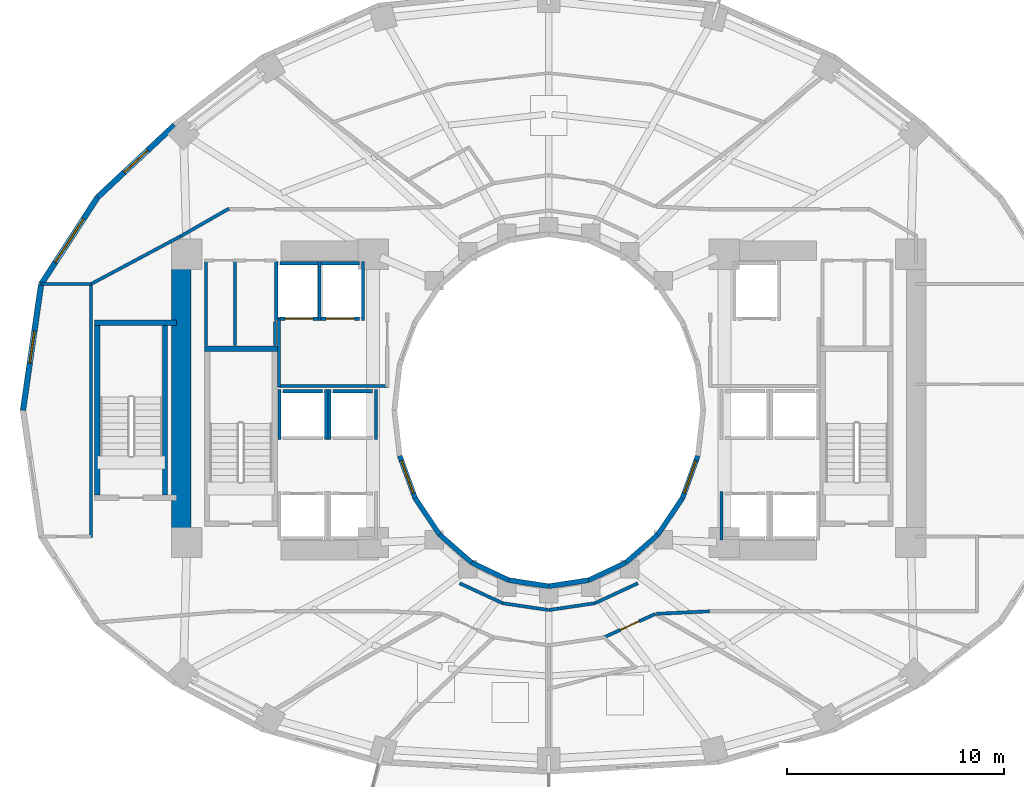
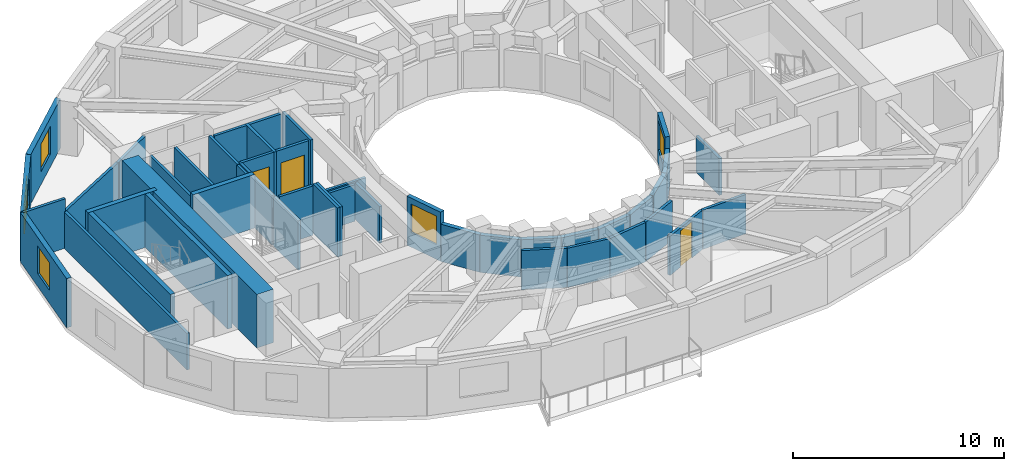
# One storey, part 4 of 9: 47 walls, 5 windows, 3 doors, 8 openings.
"""IFC4 building model written with IfcOpenShell, lengths in metres."""

from ifc_helpers import new_model, si_unit, direction, frame, frame_2d, origin, place, context, subcontext, project, spatial, rectangle, extrude, material, layer, layer_set, type_object, element, fill, save


model = new_model("IFC4")

# Units and contexts
model_context = context("Model", 3, precision=1e-05, world=origin(), true_north=direction((0.0, 1.0)))
body_context = subcontext(model_context, "Body", "Model", "MODEL_VIEW")
ifc_project = project(units=[si_unit("LENGTHUNIT", "METRE"), si_unit("AREAUNIT", "SQUARE_METRE"), si_unit("VOLUMEUNIT", "CUBIC_METRE"), si_unit("PLANEANGLEUNIT", "RADIAN"), si_unit("MASSUNIT", "GRAM", prefix="KILO")], contexts=[model_context])

# Site, building, storey
site_placement = place(None, origin())
site = spatial("IfcSite", under=ifc_project, at=site_placement, CompositionType="ELEMENT")
building_placement = place(site_placement, origin())
building = spatial("IfcBuilding", under=site, at=building_placement, Name="Solvane Sanctuary Tower", CompositionType="ELEMENT")
storey_placement = place(building_placement, frame((0.0, 0.0, 79.39990234375)))
storey = spatial("IfcBuildingStorey", under=building, at=storey_placement, Name="L23", CompositionType="ELEMENT", Elevation=79.39990234375)

# Walls
ifc_material_1 = material(Name="Concrete C70/85", Category="concrete")
ifc_layer_1 = layer(ifc_material_1, 0.89990234375, Name="Concrete C70/85")
ifc_layer_set_1 = layer_set([ifc_layer_1], Name="Concrete C70/85")
wall_type_1 = type_object("IfcWallType", Name="Wall W-CORE-900", PredefinedType="SHEAR", material=ifc_layer_set_1)
wall_1_placement = place(storey_placement, frame((15.050048828125, 17.050048828125, 0.0), z_axis=(0.0, 0.0, 1.0), x_axis=(0.0, 1.0, 0.0)))
element("IfcWall", 1, at=wall_1_placement, inside=storey, type_object=wall_type_1, Name="L23 Core Shear Wall WC-W", PredefinedType="SHEAR", context=body_context, shape_type="SweptSolid", body=[
    extrude(rectangle(XDim=12.800048828125, YDim=0.89990234375, at=frame_2d((6.39990234375, 0.0))), origin(), (0.0, 0.0, 1.0), 3.10009765625),
])
ifc_material_2 = material(Name="Acoustic Gypsum Partition Board")
ifc_layer_2 = layer(ifc_material_2, 0.14990234375, Name="Acoustic Gypsum Partition Board")
ifc_layer_set_2 = layer_set([ifc_layer_2], Name="Acoustic Gypsum Partition Board")
wall_type_2 = type_object("IfcWallType", Name="Wall W-CORR-150", PredefinedType="PARTITIONING", material=ifc_layer_set_2)
wall_2_placement = place(storey_placement, frame((19.52001953125, 24.1201171875, 0.0), z_axis=(0.0, 0.0, 1.0), x_axis=(1.0, 0.0, 0.0)))
element("IfcWall", 2, at=wall_2_placement, inside=storey, type_object=wall_type_2, Name="L23 West Firefighting Lobby South Wall", PredefinedType="PARTITIONING", context=body_context, shape_type="SweptSolid", body=[
    extrude(rectangle(XDim=5.080078125, YDim=0.14990234375, at=frame_2d((2.5400390625, 0.0))), origin(), (0.0, 0.0, 1.0), 2.1201171875),
])
wall_3_placement = place(storey_placement, frame((19.550048828125, 24.080078125, 0.0), z_axis=(0.0, 0.0, 1.0), x_axis=(0.0, 1.0, 0.0)))
element("IfcWall", 3, at=wall_3_placement, inside=storey, type_object=wall_type_2, Name="L23 West Firefighting Lobby West Wall", PredefinedType="PARTITIONING", context=body_context, shape_type="SweptSolid", body=[
    extrude(rectangle(XDim=3.199951171875, YDim=0.14990234375, at=frame_2d((1.60009765625, 0.0))), origin(), (0.0, 0.0, 1.0), 2.85498046875),
])
wall_4_placement = place(storey_placement, frame((27.889892578125, 15.01513671875, 0.0), z_axis=(0.0, 0.0, 1.0), x_axis=(0.906943449489, -0.421252393975, 0.0)))
element("IfcWall", 4, at=wall_4_placement, inside=storey, type_object=wall_type_2, Name="L23 Light-Well Corridor Rim Wall S1", PredefinedType="PARTITIONING", context=body_context, shape_type="SweptSolid", body=[
    extrude(rectangle(XDim=2.18603515625, YDim=0.14990234375, at=frame_2d((1.093017578125, 0.0))), origin(), (0.0, 0.0, 1.0), 2.272216796875),
])
for number, where, z_axis, x_axis, name in (
    (5, (29.87255859375, 14.09423828125, 0.0), (0.0, 0.0, 1.0), (0.989268584896, -0.146108408166, 0.0), "L23 Light-Well Corridor Rim Wall S2"),
    (6, (32.0, 13.780029296875, 0.0), (0.0, 0.0, 1.0), (0.989268584896, 0.146108408166, 0.0), "L23 Light-Well Corridor Rim Wall S3"),
):
    element("IfcWall", number, at=place(storey_placement, frame(where, z_axis=z_axis, x_axis=x_axis)), inside=storey, type_object=wall_type_2, Name=name, PredefinedType="PARTITIONING", context=body_context, shape_type="SweptSolid", body=[
        extrude(rectangle(XDim=2.150634765625, YDim=0.14990234375, at=frame_2d((1.0751953125, 0.0))), origin(), (0.0, 0.0, 1.0), 2.272216796875),
    ])
wall_5_placement = place(storey_placement, frame((34.12744140625, 14.09423828125, 0.0), z_axis=(0.0, 0.0, 1.0), x_axis=(0.906943449489, 0.421252393975, 0.0)))
element("IfcWall", 7, at=wall_5_placement, inside=storey, type_object=wall_type_2, Name="L23 Light-Well Corridor Rim Wall S4", PredefinedType="PARTITIONING", context=body_context, shape_type="SweptSolid", body=[
    extrude(rectangle(XDim=2.18603515625, YDim=0.14990234375, at=frame_2d((1.093017578125, 0.0))), origin(), (0.0, 0.0, 1.0), 2.272216796875),
])
wall_6_placement = place(storey_placement, frame((10.8798828125, 17.134765625, 0.0), z_axis=(0.0, 0.0, 1.0), x_axis=(0.0, 1.0, 0.0)))
element("IfcWall", 8, at=wall_6_placement, inside=storey, type_object=wall_type_2, Name="L23 West Shoulder Back Wall", PredefinedType="PARTITIONING", context=body_context, shape_type="SweptSolid", body=[
    extrude(rectangle(XDim=11.73046875, YDim=0.14990234375, at=frame_2d((5.865234375, 0.0))), origin(), (0.0, 0.0, 1.0), 2.1201171875),
])
wall_7_placement = place(storey_placement, frame((8.558349609375, 28.8251953125, 0.0), z_axis=(0.0, 0.0, 1.0), x_axis=(1.0, 0.0, 0.0)))
element("IfcWall", 9, at=wall_7_placement, inside=storey, type_object=wall_type_2, Name="L23 West Shoulder North Wall", PredefinedType="PARTITIONING", context=body_context, shape_type="SweptSolid", body=[
    extrude(rectangle(XDim=2.321533203125, YDim=0.14990234375, at=frame_2d((1.16064453125, 0.0))), origin(), (0.0, 0.0, 1.0), 2.85498046875),
])
wall_8_placement = place(storey_placement, frame((10.8447265625, 28.806396484375, 0.0), z_axis=(0.0, 0.0, 1.0), x_axis=(0.88227840565, 0.470727962759, 0.0)))
element("IfcWall", 10, at=wall_8_placement, inside=storey, type_object=wall_type_2, Name="L23 NW Corner Closer 1", PredefinedType="PARTITIONING", context=body_context, shape_type="SweptSolid", body=[
    extrude(rectangle(XDim=4.806396484375, YDim=0.14990234375, at=frame_2d((2.4033203125, 0.0))), origin(), (0.0, 0.0, 1.0), 2.14208984375),
])
wall_9_placement = place(storey_placement, frame((17.243408203125, 32.3046875, 0.0), z_axis=(0.0, 0.0, 1.0), x_axis=(-0.867991349648, -0.496579315857, 0.0)))
element("IfcWall", 11, at=wall_9_placement, inside=storey, type_object=wall_type_2, Name="L23 NW Corner Wing Wall", PredefinedType="PARTITIONING", context=body_context, shape_type="SweptSolid", body=[
    extrude(rectangle(XDim=2.56689453125, YDim=0.14990234375, at=frame_2d((1.283447265625, 0.0))), origin(), (0.0, 0.0, 1.0), 2.14208984375),
])
wall_10_placement = place(storey_placement, frame((36.97998046875, 13.606201171875, 0.0), z_axis=(0.0, 0.0, 1.0), x_axis=(0.998877427952, 0.047369651964, 0.0)))
element("IfcWall", 12, at=wall_10_placement, inside=storey, type_object=wall_type_2, Name="L23 SE Corner Throat Wall", PredefinedType="PARTITIONING", context=body_context, shape_type="SweptSolid", body=[
    extrude(rectangle(XDim=2.4326171875, YDim=0.14990234375, at=frame_2d((1.21630859375, 0.0))), origin(), (0.0, 0.0, 1.0), 2.272216796875),
])

# Wall, opening, door
wall_11_placement = place(storey_placement, frame((34.542724609375, 12.517578125, 0.0), z_axis=(0.0, 0.0, 1.0), x_axis=(0.909747571199, 0.415161843982, 0.0)))
wall_11 = element("IfcWall", 13, at=wall_11_placement, inside=storey, type_object=wall_type_2, Name="L23 Unit Corridor Wall S3", PredefinedType="PARTITIONING", context=body_context, shape_type="SweptSolid", body=[
    extrude(rectangle(XDim=2.625, YDim=0.14990234375, at=frame_2d((1.3125, 0.0))), origin(), (0.0, 0.0, 1.0), 2.272216796875),
])
opening_1_placement = place(wall_11_placement, frame((0.837646484375, 0.0, 0.0)))
opening_1 = element("IfcOpeningElement", 14, at=opening_1_placement, cuts=wall_11, Name="Opening D-L23-26", PredefinedType="OPENING", context=body_context, shape_type="SweptSolid", body=[
    extrude(rectangle(XDim=0.949951171875, YDim=2.10009765625, at=frame_2d((0.47509765625, 1.050048828125))), frame((0.0, 0.0849609375, 0.0), z_axis=(0.0, -1.0, 0.0), x_axis=(1.0, 0.0, 0.0)), (0.0, 0.0, 1.0), 0.169921875),
])
ifc_material_3 = material(Name="Engineered Tropical Hardwood", Category="wood")
door_type_1 = type_object("IfcDoorType", Name="Door D-ROOM-950", OperationType="NOTDEFINED", PredefinedType="DOOR", material=ifc_material_3)
door_1_placement = place(opening_1_placement, origin())
door_1 = element("IfcDoor", 15, at=door_1_placement, inside=storey, type_object=door_type_1, Name="L23 Unit Entrance Door S3", OperationType="SINGLE_SWING_RIGHT", OverallHeight=2.10009765625, OverallWidth=0.949951171875, PredefinedType="DOOR", context=body_context, shape_type="SweptSolid", body=[
    extrude(rectangle(XDim=0.949951171875, YDim=2.10009765625, at=frame_2d((0.47509765625, 1.050048828125))), frame((0.0, 0.02490234375, 0.0), z_axis=(0.0, -1.0, 0.0), x_axis=(1.0, 0.0, 0.0)), (0.0, 0.0, 1.0), 0.050048828125),
])
fill(opening_1, door_1)

# Wall, opening, window
ifc_material_4 = material(Name="Precast concrete C40/50", Category="concrete")
ifc_layer_3 = layer(ifc_material_4, 0.260009765625, Name="Precast concrete C40/50")
ifc_layer_set_3 = layer_set([ifc_layer_3], Name="Precast concrete C40/50")
wall_type_3 = type_object("IfcWallType", Name="Wall W-EXT-250", PredefinedType="STANDARD", material=ifc_layer_set_3)
wall_12_placement = place(storey_placement, frame((14.734130859375, 36.1533203125, 0.0), z_axis=(0.0, 0.0, 1.0), x_axis=(-0.730162452258, -0.68327358599, 0.0)))
wall_12 = element("IfcWall", 16, at=wall_12_placement, inside=storey, type_object=wall_type_3, Name="L23 Ceramic-Printed Facade Wall 09", PredefinedType="STANDARD", context=body_context, shape_type="SweptSolid", body=[
    extrude(rectangle(XDim=4.868408203125, YDim=0.260009765625, at=frame_2d((2.43408203125, 0.0))), origin(), (0.0, 0.0, 1.0), 2.85009765625),
])
opening_2_placement = place(wall_12_placement, frame((1.68408203125, 0.0, 0.75)))
opening_2 = element("IfcOpeningElement", 17, at=opening_2_placement, cuts=wall_12, Name="Opening WN-OPER-1500", PredefinedType="OPENING", context=body_context, shape_type="SweptSolid", body=[
    extrude(rectangle(XDim=1.5, YDim=1.60009765625, at=frame_2d((0.75, 0.800048828125))), frame((0.0, 0.139892578125, 0.0), z_axis=(0.0, -1.0, 0.0), x_axis=(1.0, 0.0, 0.0)), (0.0, 0.0, 1.0), 0.280029296875),
])
ifc_material_5 = material(Name="Dark Ceramic-Fritted Low-E Glass", Category="glass")
window_type_1 = type_object("IfcWindowType", Name="Window WN-OPER-1500", PartitioningType="SINGLE_PANEL", PredefinedType="WINDOW", material=ifc_material_5)
window_1_placement = place(opening_2_placement, origin())
window_1 = element("IfcWindow", 18, at=window_1_placement, inside=storey, type_object=window_type_1, Name="L23 Operable Facade Window 09", OverallHeight=1.60009765625, OverallWidth=1.5, PartitioningType="SINGLE_PANEL", PredefinedType="WINDOW", context=body_context, shape_type="SweptSolid", body=[
    extrude(rectangle(XDim=1.5, YDim=1.60009765625, at=frame_2d((0.75, 0.800048828125))), frame((0.0, 0.030029296875, 0.0), z_axis=(0.0, -1.0, 0.0), x_axis=(1.0, 0.0, 0.0)), (0.0, 0.0, 1.0), 0.06005859375),
])
fill(opening_2, window_1)

wall_13_placement = place(storey_placement, frame((11.179443359375, 32.826904296875, 0.0), z_axis=(0.0, 0.0, 1.0), x_axis=(-0.544388392991, -0.838833283541, 0.0)))
wall_13 = element("IfcWall", 19, at=wall_13_placement, inside=storey, type_object=wall_type_3, Name="L23 Ceramic-Printed Facade Wall 10", PredefinedType="STANDARD", context=body_context, shape_type="SweptSolid", body=[
    extrude(rectangle(XDim=4.7783203125, YDim=0.260009765625, at=frame_2d((2.38916015625, 0.0))), origin(), (0.0, 0.0, 1.0), 2.85009765625),
])
opening_3_placement = place(wall_13_placement, frame((1.189208984375, 0.0, 0.75)))
opening_3 = element("IfcOpeningElement", 20, at=opening_3_placement, cuts=wall_13, Name="Opening WN-RIB-2400", PredefinedType="OPENING", context=body_context, shape_type="SweptSolid", body=[
    extrude(rectangle(XDim=2.39990234375, YDim=1.699951171875, at=frame_2d((1.199951171875, 0.85009765625))), frame((0.0, 0.139892578125, 0.0), z_axis=(0.0, -1.0, 0.0), x_axis=(1.0, 0.0, 0.0)), (0.0, 0.0, 1.0), 0.280029296875),
])
window_type_2 = type_object("IfcWindowType", Name="Window WN-RIB-2400", PartitioningType="SINGLE_PANEL", PredefinedType="WINDOW", material=ifc_material_5)
window_2_placement = place(opening_3_placement, origin())
window_2 = element("IfcWindow", 21, at=window_2_placement, inside=storey, type_object=window_type_2, Name="L23 Operable Facade Window 10", OverallHeight=1.699951171875, OverallWidth=2.39990234375, PartitioningType="SINGLE_PANEL", PredefinedType="WINDOW", context=body_context, shape_type="SweptSolid", body=[
    extrude(rectangle(XDim=2.39990234375, YDim=1.699951171875, at=frame_2d((1.199951171875, 0.85009765625))), frame((0.0, 0.030029296875, 0.0), z_axis=(0.0, -1.0, 0.0), x_axis=(1.0, 0.0, 0.0)), (0.0, 0.0, 1.0), 0.06005859375),
])
fill(opening_3, window_2)

wall_14_placement = place(storey_placement, frame((8.578125, 28.818603515625, 0.0), z_axis=(0.0, 0.0, 1.0), x_axis=(-0.142572472068, -0.98978436551, 0.0)))
wall_14 = element("IfcWall", 22, at=wall_14_placement, inside=storey, type_object=wall_type_3, Name="L23 Ceramic-Printed Facade Wall 11", PredefinedType="STANDARD", context=body_context, shape_type="SweptSolid", body=[
    extrude(rectangle(XDim=5.878662109375, YDim=0.260009765625, at=frame_2d((2.939453125, 0.0))), origin(), (0.0, 0.0, 1.0), 2.85009765625),
])
opening_4_placement = place(wall_14_placement, frame((2.189453125, 0.0, 0.75)))
opening_4 = element("IfcOpeningElement", 23, at=opening_4_placement, cuts=wall_14, Name="Opening WN-OPER-1500", PredefinedType="OPENING", context=body_context, shape_type="SweptSolid", body=[
    extrude(rectangle(XDim=1.5, YDim=1.60009765625, at=frame_2d((0.75, 0.800048828125))), frame((0.0, 0.139892578125, 0.0), z_axis=(0.0, -1.0, 0.0), x_axis=(1.0, 0.0, 0.0)), (0.0, 0.0, 1.0), 0.280029296875),
])
window_3_placement = place(opening_4_placement, origin())
window_3 = element("IfcWindow", 24, at=window_3_placement, inside=storey, type_object=window_type_1, Name="L23 Operable Facade Window 11", OverallHeight=1.60009765625, OverallWidth=1.5, PartitioningType="SINGLE_PANEL", PredefinedType="WINDOW", context=body_context, shape_type="SweptSolid", body=[
    extrude(rectangle(XDim=1.5, YDim=1.60009765625, at=frame_2d((0.75, 0.800048828125))), frame((0.0, 0.030029296875, 0.0), z_axis=(0.0, -1.0, 0.0), x_axis=(1.0, 0.0, 0.0)), (0.0, 0.0, 1.0), 0.06005859375),
])
fill(opening_4, window_3)

ifc_layer_4 = layer(ifc_material_4, 0.22998046875, Name="Precast concrete C40/50")
ifc_layer_set_4 = layer_set([ifc_layer_4], Name="Precast concrete C40/50")
wall_type_4 = type_object("IfcWallType", Name="Wall W-EXT-SP220", PredefinedType="STANDARD", material=ifc_layer_set_4)
wall_15_placement = place(storey_placement, frame((25.12255859375, 20.8984375, 0.0), z_axis=(0.0, 0.0, 1.0), x_axis=(0.341423187295, -0.93990968033, 0.0)))
wall_15 = element("IfcWall", 25, at=wall_15_placement, inside=storey, type_object=wall_type_4, Name="L23 Central Light-Well Wall 13", PredefinedType="STANDARD", context=body_context, shape_type="SweptSolid", body=[
    extrude(rectangle(XDim=2.083740234375, YDim=0.22998046875, at=frame_2d((1.0419921875, 0.0))), origin(), (0.0, 0.0, 1.0), 2.840087890625),
])
opening_5_placement = place(wall_15_placement, frame((0.24169921875, 0.0, 0.85009765625)))
opening_5 = element("IfcOpeningElement", 26, at=opening_5_placement, cuts=wall_15, Name="Opening WN-WELL-1600", PredefinedType="OPENING", context=body_context, shape_type="SweptSolid", body=[
    extrude(rectangle(XDim=1.60009765625, YDim=1.64990234375, at=frame_2d((0.800048828125, 0.824951171875))), frame((0.0, 0.125, 0.0), z_axis=(0.0, -1.0, 0.0), x_axis=(1.0, 0.0, 0.0)), (0.0, 0.0, 1.0), 0.25),
])
ifc_material_6 = material(Name="Clear Laminated Light-Well Glass", Category="glass")
window_type_3 = type_object("IfcWindowType", Name="Window WN-WELL-1600", PartitioningType="SINGLE_PANEL", PredefinedType="WINDOW", material=ifc_material_6)
window_4_placement = place(opening_5_placement, origin())
window_4 = element("IfcWindow", 27, at=window_4_placement, inside=storey, type_object=window_type_3, Name="L23 Light-Well Daylight Window 13", OverallHeight=1.64990234375, OverallWidth=1.60009765625, PartitioningType="SINGLE_PANEL", PredefinedType="WINDOW", context=body_context, shape_type="SweptSolid", body=[
    extrude(rectangle(XDim=1.60009765625, YDim=1.64990234375, at=frame_2d((0.800048828125, 0.824951171875))), frame((0.0, 0.030029296875, 0.0), z_axis=(0.0, -1.0, 0.0), x_axis=(1.0, 0.0, 0.0)), (0.0, 0.0, 1.0), 0.06005859375),
])
fill(opening_5, window_4)

# Walls
wall_16_placement = place(storey_placement, frame((25.833984375, 18.93994140625, 0.0), z_axis=(0.0, 0.0, 1.0), x_axis=(0.558197800898, -0.829707909492, 0.0)))
element("IfcWall", 28, at=wall_16_placement, inside=storey, type_object=wall_type_4, Name="L23 Central Light-Well Wall 14", PredefinedType="STANDARD", context=body_context, shape_type="SweptSolid", body=[
    extrude(rectangle(XDim=2.02685546875, YDim=0.22998046875, at=frame_2d((1.013427734375, 0.0))), origin(), (0.0, 0.0, 1.0), 2.16015625),
])
wall_17_placement = place(storey_placement, frame((26.96533203125, 17.25830078125, 0.0), z_axis=(0.0, 0.0, 1.0), x_axis=(0.752576694707, -0.658504607869, 0.0)))
element("IfcWall", 29, at=wall_17_placement, inside=storey, type_object=wall_type_4, Name="L23 Central Light-Well Wall 15", PredefinedType="STANDARD", context=body_context, shape_type="SweptSolid", body=[
    extrude(rectangle(XDim=1.95947265625, YDim=0.22998046875, at=frame_2d((0.979736328125, 0.0))), origin(), (0.0, 0.0, 1.0), 2.16015625),
])
wall_18_placement = place(storey_placement, frame((28.43994140625, 15.968017578125, 0.0), z_axis=(0.0, 0.0, 1.0), x_axis=(0.904179699603, -0.427152280606, 0.0)))
element("IfcWall", 30, at=wall_18_placement, inside=storey, type_object=wall_type_4, Name="L23 Central Light-Well Wall 16", PredefinedType="STANDARD", context=body_context, shape_type="SweptSolid", body=[
    extrude(rectangle(XDim=1.899169921875, YDim=0.22998046875, at=frame_2d((0.94970703125, 0.0))), origin(), (0.0, 0.0, 1.0), 2.16015625),
])
for number, where, z_axis, x_axis, name in (
    (31, (30.1572265625, 15.15673828125, 0.0), (0.0, 0.0, 1.0), (0.988901730308, -0.148571086668, 0.0), "L23 Central Light-Well Wall 17"),
    (32, (32.0, 14.8798828125, 0.0), (0.0, 0.0, 1.0), (0.988901730308, 0.148571086668, 0.0), "L23 Central Light-Well Wall 18"),
):
    element("IfcWall", number, at=place(storey_placement, frame(where, z_axis=z_axis, x_axis=x_axis)), inside=storey, type_object=wall_type_4, Name=name, PredefinedType="STANDARD", context=body_context, shape_type="SweptSolid", body=[
        extrude(rectangle(XDim=1.863525390625, YDim=0.22998046875, at=frame_2d((0.931640625, 0.0))), origin(), (0.0, 0.0, 1.0), 2.16015625),
    ])
wall_19_placement = place(storey_placement, frame((33.8427734375, 15.15673828125, 0.0), z_axis=(0.0, 0.0, 1.0), x_axis=(0.904179699603, 0.427152280606, 0.0)))
element("IfcWall", 33, at=wall_19_placement, inside=storey, type_object=wall_type_4, Name="L23 Central Light-Well Wall 19", PredefinedType="STANDARD", context=body_context, shape_type="SweptSolid", body=[
    extrude(rectangle(XDim=1.899169921875, YDim=0.22998046875, at=frame_2d((0.94970703125, 0.0))), origin(), (0.0, 0.0, 1.0), 2.16015625),
])
wall_20_placement = place(storey_placement, frame((35.56005859375, 15.968017578125, 0.0), z_axis=(0.0, 0.0, 1.0), x_axis=(0.752576694707, 0.658504607869, 0.0)))
element("IfcWall", 34, at=wall_20_placement, inside=storey, type_object=wall_type_4, Name="L23 Central Light-Well Wall 20", PredefinedType="STANDARD", context=body_context, shape_type="SweptSolid", body=[
    extrude(rectangle(XDim=1.95947265625, YDim=0.22998046875, at=frame_2d((0.979736328125, 0.0))), origin(), (0.0, 0.0, 1.0), 2.16015625),
])
wall_21_placement = place(storey_placement, frame((37.03466796875, 17.25830078125, 0.0), z_axis=(0.0, 0.0, 1.0), x_axis=(0.558197800898, 0.829707909492, 0.0)))
element("IfcWall", 35, at=wall_21_placement, inside=storey, type_object=wall_type_4, Name="L23 Central Light-Well Wall 21", PredefinedType="STANDARD", context=body_context, shape_type="SweptSolid", body=[
    extrude(rectangle(XDim=2.02685546875, YDim=0.22998046875, at=frame_2d((1.013427734375, 0.0))), origin(), (0.0, 0.0, 1.0), 2.16015625),
])

# Wall, opening, window
wall_22_placement = place(storey_placement, frame((38.166015625, 18.93994140625, 0.0), z_axis=(0.0, 0.0, 1.0), x_axis=(0.341423187295, 0.93990968033, 0.0)))
wall_22 = element("IfcWall", 36, at=wall_22_placement, inside=storey, type_object=wall_type_4, Name="L23 Central Light-Well Wall 22", PredefinedType="STANDARD", context=body_context, shape_type="SweptSolid", body=[
    extrude(rectangle(XDim=2.083740234375, YDim=0.22998046875, at=frame_2d((1.0419921875, 0.0))), origin(), (0.0, 0.0, 1.0), 2.840087890625),
])
opening_6_placement = place(wall_22_placement, frame((0.24169921875, 0.0, 0.85009765625)))
opening_6 = element("IfcOpeningElement", 37, at=opening_6_placement, cuts=wall_22, Name="Opening WN-WELL-1600", PredefinedType="OPENING", context=body_context, shape_type="SweptSolid", body=[
    extrude(rectangle(XDim=1.60009765625, YDim=1.64990234375, at=frame_2d((0.800048828125, 0.824951171875))), frame((0.0, 0.125, 0.0), z_axis=(0.0, -1.0, 0.0), x_axis=(1.0, 0.0, 0.0)), (0.0, 0.0, 1.0), 0.25),
])
window_5_placement = place(opening_6_placement, origin())
window_5 = element("IfcWindow", 38, at=window_5_placement, inside=storey, type_object=window_type_3, Name="L23 Light-Well Daylight Window 22", OverallHeight=1.64990234375, OverallWidth=1.60009765625, PartitioningType="SINGLE_PANEL", PredefinedType="WINDOW", context=body_context, shape_type="SweptSolid", body=[
    extrude(rectangle(XDim=1.60009765625, YDim=1.64990234375, at=frame_2d((0.800048828125, 0.824951171875))), frame((0.0, 0.030029296875, 0.0), z_axis=(0.0, -1.0, 0.0), x_axis=(1.0, 0.0, 0.0)), (0.0, 0.0, 1.0), 0.06005859375),
])
fill(opening_6, window_5)

# Walls
ifc_material_7 = material(Name="Concrete C50/60", Category="concrete")
ifc_layer_5 = layer(ifc_material_7, 0.14990234375, Name="Concrete C50/60")
ifc_layer_set_5 = layer_set([ifc_layer_5], Name="Concrete C50/60")
wall_type_5 = type_object("IfcWallType", Name="Wall W-SHAFT-150", PredefinedType="SOLIDWALL", material=ifc_layer_set_5)
wall_23_placement = place(storey_placement, frame((39.969970703125, 17.02001953125, 0.0), z_axis=(0.0, 0.0, 1.0), x_axis=(0.0, 1.0, 0.0)))
element("IfcWall", 39, at=wall_23_placement, inside=storey, type_object=wall_type_5, Name="L23 PL-3 Lift Shaft Wall S1", PredefinedType="SOLIDWALL", context=body_context, shape_type="SweptSolid", body=[
    extrude(rectangle(XDim=2.219970703125, YDim=0.14990234375, at=frame_2d((1.10986328125, 0.0))), origin(), (0.0, 0.0, 1.0), 2.1201171875),
])
wall_24_placement = place(storey_placement, frame((19.739990234375, 23.8798828125, 0.0), z_axis=(0.0, 0.0, 1.0), x_axis=(1.0, 0.0, 0.0)))
element("IfcWall", 40, at=wall_24_placement, inside=storey, type_object=wall_type_5, Name="L23 PM-1 Lift Shaft Wall B", PredefinedType="SOLIDWALL", context=body_context, shape_type="SweptSolid", body=[
    extrude(rectangle(XDim=1.820068359375, YDim=0.14990234375, at=frame_2d((0.91015625, 0.0))), origin(), (0.0, 0.0, 1.0), 2.85498046875),
])
for number, where, z_axis, x_axis, name in (
    (41, (19.570068359375, 21.639892578125, 0.0), (0.0, 0.0, 1.0), (0.0, 1.0, 0.0), "L23 PM-1 Lift Shaft Wall S1"),
    (42, (21.72998046875, 21.639892578125, 0.0), (0.0, 0.0, 1.0), (0.0, 1.0, 0.0), "L23 PM-1 Lift Shaft Wall S2"),
):
    element("IfcWall", number, at=place(storey_placement, frame(where, z_axis=z_axis, x_axis=x_axis)), inside=storey, type_object=wall_type_5, Name=name, PredefinedType="SOLIDWALL", context=body_context, shape_type="SweptSolid", body=[
        extrude(rectangle(XDim=2.320068359375, YDim=0.14990234375, at=frame_2d((1.16015625, 0.0))), origin(), (0.0, 0.0, 1.0), 2.85498046875),
    ])
wall_25_placement = place(storey_placement, frame((22.0400390625, 23.8798828125, 0.0), z_axis=(0.0, 0.0, 1.0), x_axis=(1.0, 0.0, 0.0)))
element("IfcWall", 43, at=wall_25_placement, inside=storey, type_object=wall_type_5, Name="L23 PH-1 Lift Shaft Wall B", PredefinedType="SOLIDWALL", context=body_context, shape_type="SweptSolid", body=[
    extrude(rectangle(XDim=1.820068359375, YDim=0.14990234375, at=frame_2d((0.91015625, 0.0))), origin(), (0.0, 0.0, 1.0), 2.1201171875),
])
wall_26_placement = place(storey_placement, frame((21.8701171875, 21.639892578125, 0.0), z_axis=(0.0, 0.0, 1.0), x_axis=(0.0, 1.0, 0.0)))
element("IfcWall", 44, at=wall_26_placement, inside=storey, type_object=wall_type_5, Name="L23 PH-1 Lift Shaft Wall S1", PredefinedType="SOLIDWALL", context=body_context, shape_type="SweptSolid", body=[
    extrude(rectangle(XDim=2.320068359375, YDim=0.14990234375, at=frame_2d((1.16015625, 0.0))), origin(), (0.0, 0.0, 1.0), 2.85498046875),
])
wall_27_placement = place(storey_placement, frame((24.030029296875, 21.639892578125, 0.0), z_axis=(0.0, 0.0, 1.0), x_axis=(0.0, 1.0, 0.0)))
element("IfcWall", 45, at=wall_27_placement, inside=storey, type_object=wall_type_5, Name="L23 PH-1 Lift Shaft Wall S2", PredefinedType="SOLIDWALL", context=body_context, shape_type="SweptSolid", body=[
    extrude(rectangle(XDim=2.320068359375, YDim=0.14990234375, at=frame_2d((1.16015625, 0.0))), origin(), (0.0, 0.0, 1.0), 2.1201171875),
])

# Wall, opening, door
wall_28_placement = place(storey_placement, frame((19.590087890625, 27.219970703125, 0.0), z_axis=(0.0, 0.0, 1.0), x_axis=(1.0, 0.0, 0.0)))
wall_28 = element("IfcWall", 46, at=wall_28_placement, inside=storey, type_object=wall_type_5, Name="L23 FFL-1 Lift Shaft Wall F", PredefinedType="SOLIDWALL", context=body_context, shape_type="SweptSolid", body=[
    extrude(rectangle(XDim=1.760009765625, YDim=0.14990234375, at=frame_2d((0.8798828125, 0.0))), origin(), (0.0, 0.0, 1.0), 2.85498046875),
])
opening_7_placement = place(wall_28_placement, frame((0.22998046875, 0.0, 0.0)))
opening_7 = element("IfcOpeningElement", 47, at=opening_7_placement, cuts=wall_28, Name="Opening LD-L23-05", PredefinedType="OPENING", context=body_context, shape_type="SweptSolid", body=[
    extrude(rectangle(XDim=1.300048828125, YDim=2.10009765625, at=frame_2d((0.64990234375, 1.050048828125))), frame((0.0, 0.0849609375, 0.0), z_axis=(0.0, -1.0, 0.0), x_axis=(1.0, 0.0, 0.0)), (0.0, 0.0, 1.0), 0.169921875),
])
ifc_material_8 = material(Name="Architectural Stainless Steel 316", Category="steel")
door_type_2 = type_object("IfcDoorType", Name="Door LD-FFL-1300", OperationType="NOTDEFINED", PredefinedType="DOOR", material=ifc_material_8)
door_2_placement = place(opening_7_placement, origin())
door_2 = element("IfcDoor", 48, at=door_2_placement, inside=storey, type_object=door_type_2, Name="L23 FFL-1 Lift Landing Door", OperationType="DOUBLE_DOOR_SLIDING", OverallHeight=2.10009765625, OverallWidth=1.300048828125, PredefinedType="DOOR", context=body_context, shape_type="SweptSolid", body=[
    extrude(rectangle(XDim=1.300048828125, YDim=2.10009765625, at=frame_2d((0.64990234375, 1.050048828125))), frame((0.0, 0.02490234375, 0.0), z_axis=(0.0, -1.0, 0.0), x_axis=(1.0, 0.0, 0.0)), (0.0, 0.0, 1.0), 0.050048828125),
])
fill(opening_7, door_2)

# Walls
wall_29_placement = place(storey_placement, frame((19.590087890625, 29.780029296875, 0.0), z_axis=(0.0, 0.0, 1.0), x_axis=(1.0, 0.0, 0.0)))
element("IfcWall", 49, at=wall_29_placement, inside=storey, type_object=wall_type_5, Name="L23 FFL-1 Lift Shaft Wall B", PredefinedType="SOLIDWALL", context=body_context, shape_type="SweptSolid", body=[
    extrude(rectangle(XDim=1.760009765625, YDim=0.14990234375, at=frame_2d((0.8798828125, 0.0))), origin(), (0.0, 0.0, 1.0), 2.85498046875),
])
for number, where, z_axis, x_axis, name in (
    (50, (19.419921875, 27.139892578125, 0.0), (0.0, 0.0, 1.0), (0.0, 1.0, 0.0), "L23 FFL-1 Lift Shaft Wall S1"),
    (51, (21.425048828125, 27.139892578125, 0.0), (0.0, 0.0, 1.0), (0.0, 1.0, 0.0), "L23 FFL-1 Lift Shaft Wall S2"),
):
    element("IfcWall", number, at=place(storey_placement, frame(where, z_axis=z_axis, x_axis=x_axis)), inside=storey, type_object=wall_type_5, Name=name, PredefinedType="SOLIDWALL", context=body_context, shape_type="SweptSolid", body=[
        extrude(rectangle(XDim=2.72021484375, YDim=0.14990234375, at=frame_2d((1.360107421875, 0.0))), origin(), (0.0, 0.0, 1.0), 2.85498046875),
    ])

# Wall, opening, door
wall_30_placement = place(storey_placement, frame((21.5, 27.219970703125, 0.0), z_axis=(0.0, 0.0, 1.0), x_axis=(1.0, 0.0, 0.0)))
wall_30 = element("IfcWall", 52, at=wall_30_placement, inside=storey, type_object=wall_type_5, Name="L23 SVL-1 Lift Shaft Wall F", PredefinedType="SOLIDWALL", context=body_context, shape_type="SweptSolid", body=[
    extrude(rectangle(XDim=1.760009765625, YDim=0.14990234375, at=frame_2d((0.8798828125, 0.0))), origin(), (0.0, 0.0, 1.0), 2.85498046875),
])
opening_8_placement = place(wall_30_placement, frame((0.22998046875, 0.0, 0.0)))
opening_8 = element("IfcOpeningElement", 53, at=opening_8_placement, cuts=wall_30, Name="Opening LD-L23-06", PredefinedType="OPENING", context=body_context, shape_type="SweptSolid", body=[
    extrude(rectangle(XDim=1.300048828125, YDim=2.10009765625, at=frame_2d((0.64990234375, 1.050048828125))), frame((0.0, 0.0849609375, 0.0), z_axis=(0.0, -1.0, 0.0), x_axis=(1.0, 0.0, 0.0)), (0.0, 0.0, 1.0), 0.169921875),
])
door_3_placement = place(opening_8_placement, origin())
door_3 = element("IfcDoor", 54, at=door_3_placement, inside=storey, type_object=door_type_2, Name="L23 SVL-1 Lift Landing Door", OperationType="DOUBLE_DOOR_SLIDING", OverallHeight=2.10009765625, OverallWidth=1.300048828125, PredefinedType="DOOR", context=body_context, shape_type="SweptSolid", body=[
    extrude(rectangle(XDim=1.300048828125, YDim=2.10009765625, at=frame_2d((0.64990234375, 1.050048828125))), frame((0.0, 0.02490234375, 0.0), z_axis=(0.0, -1.0, 0.0), x_axis=(1.0, 0.0, 0.0)), (0.0, 0.0, 1.0), 0.050048828125),
])
fill(opening_8, door_3)

# Walls
wall_31_placement = place(storey_placement, frame((21.5, 29.780029296875, 0.0), z_axis=(0.0, 0.0, 1.0), x_axis=(1.0, 0.0, 0.0)))
element("IfcWall", 55, at=wall_31_placement, inside=storey, type_object=wall_type_5, Name="L23 SVL-1 Lift Shaft Wall B", PredefinedType="SOLIDWALL", context=body_context, shape_type="SweptSolid", body=[
    extrude(rectangle(XDim=1.760009765625, YDim=0.14990234375, at=frame_2d((0.8798828125, 0.0))), origin(), (0.0, 0.0, 1.0), 2.85498046875),
])
wall_32_placement = place(storey_placement, frame((23.429931640625, 27.139892578125, 0.0), z_axis=(0.0, 0.0, 1.0), x_axis=(0.0, 1.0, 0.0)))
element("IfcWall", 56, at=wall_32_placement, inside=storey, type_object=wall_type_5, Name="L23 SVL-1 Lift Shaft Wall S2", PredefinedType="SOLIDWALL", context=body_context, shape_type="SweptSolid", body=[
    extrude(rectangle(XDim=2.72021484375, YDim=0.14990234375, at=frame_2d((1.360107421875, 0.0))), origin(), (0.0, 0.0, 1.0), 2.85498046875),
])
ifc_layer_6 = layer(ifc_material_7, 0.25, Name="Concrete C50/60")
ifc_layer_set_6 = layer_set([ifc_layer_6], Name="Concrete C50/60")
wall_type_6 = type_object("IfcWallType", Name="Wall W-SHAFT-250", PredefinedType="SOLIDWALL", material=ifc_layer_set_6)
wall_33_placement = place(storey_placement, frame((16.10498046875, 25.830078125, 0.0), z_axis=(0.0, 0.0, 1.0), x_axis=(1.0, 0.0, 0.0)))
element("IfcWall", 57, at=wall_33_placement, inside=storey, type_object=wall_type_6, Name="L23 ST-1 Load-Bearing Shaft Wall N", PredefinedType="SOLIDWALL", context=body_context, shape_type="SweptSolid", body=[
    extrude(rectangle(XDim=3.3701171875, YDim=0.25, at=frame_2d((1.68505859375, 0.0))), origin(), (0.0, 0.0, 1.0), 3.10009765625),
])
wall_34_placement = place(storey_placement, frame((11.044921875, 27.030029296875, 0.0), z_axis=(0.0, 0.0, 1.0), x_axis=(1.0, 0.0, 0.0)))
element("IfcWall", 58, at=wall_34_placement, inside=storey, type_object=wall_type_6, Name="L23 ST-3 Load-Bearing Shaft Wall N", PredefinedType="SOLIDWALL", context=body_context, shape_type="SweptSolid", body=[
    extrude(rectangle(XDim=3.781982421875, YDim=0.25, at=frame_2d((1.89111328125, 0.0))), origin(), (0.0, 0.0, 1.0), 3.10009765625),
])
for number, where, z_axis, x_axis, name in (
    (59, (11.169921875, 19.094970703125, 0.0), (0.0, 0.0, 1.0), (0.0, 1.0, 0.0), "L23 ST-3 Load-Bearing Shaft Wall W"),
    (60, (14.2900390625, 19.094970703125, 0.0), (0.0, 0.0, 1.0), (0.0, 1.0, 0.0), "L23 ST-3 Load-Bearing Shaft Wall E"),
):
    element("IfcWall", number, at=place(storey_placement, frame(where, z_axis=z_axis, x_axis=x_axis)), inside=storey, type_object=wall_type_6, Name=name, PredefinedType="SOLIDWALL", context=body_context, shape_type="SweptSolid", body=[
        extrude(rectangle(XDim=7.81005859375, YDim=0.25, at=frame_2d((3.905029296875, 0.0))), origin(), (0.0, 0.0, 1.0), 3.10009765625),
    ])
ifc_layer_7 = layer(ifc_material_2, 0.139892578125, Name="Acoustic Gypsum Partition Board")
ifc_layer_set_7 = layer_set([ifc_layer_7], Name="Acoustic Gypsum Partition Board")
wall_type_7 = type_object("IfcWallType", Name="Wall W-WET-140", PredefinedType="PLUMBINGWALL", material=ifc_layer_set_7)
for number, where, z_axis, x_axis, name in (
    (61, (16.179931640625, 25.97998046875, 0.0), (0.0, 0.0, 1.0), (0.0, 1.0, 0.0), "L23 Core Service Side Wall KW1-1"),
    (62, (17.52001953125, 25.97998046875, 0.0), (0.0, 0.0, 1.0), (0.0, 1.0, 0.0), "L23 Core Service Side Wall KW1-2"),
):
    element("IfcWall", number, at=place(storey_placement, frame(where, z_axis=z_axis, x_axis=x_axis)), inside=storey, type_object=wall_type_7, Name=name, PredefinedType="PLUMBINGWALL", context=body_context, shape_type="SweptSolid", body=[
        extrude(rectangle(XDim=3.880126953125, YDim=0.139892578125, at=frame_2d((1.93994140625, 0.0))), origin(), (0.0, 0.0, 1.0), 2.85498046875),
    ])
wall_35_placement = place(storey_placement, frame((19.360107421875, 25.97998046875, 0.0), z_axis=(0.0, 0.0, 1.0), x_axis=(0.0, 1.0, 0.0)))
element("IfcWall", 63, at=wall_35_placement, inside=storey, type_object=wall_type_7, Name="L23 Core Service Side Wall KW2-1", PredefinedType="PLUMBINGWALL", context=body_context, shape_type="SweptSolid", body=[
    extrude(rectangle(XDim=1.1201171875, YDim=0.139892578125, at=frame_2d((0.56005859375, 0.0))), origin(), (0.0, 0.0, 1.0), 2.85498046875),
])

save(model, "model.ifc")
